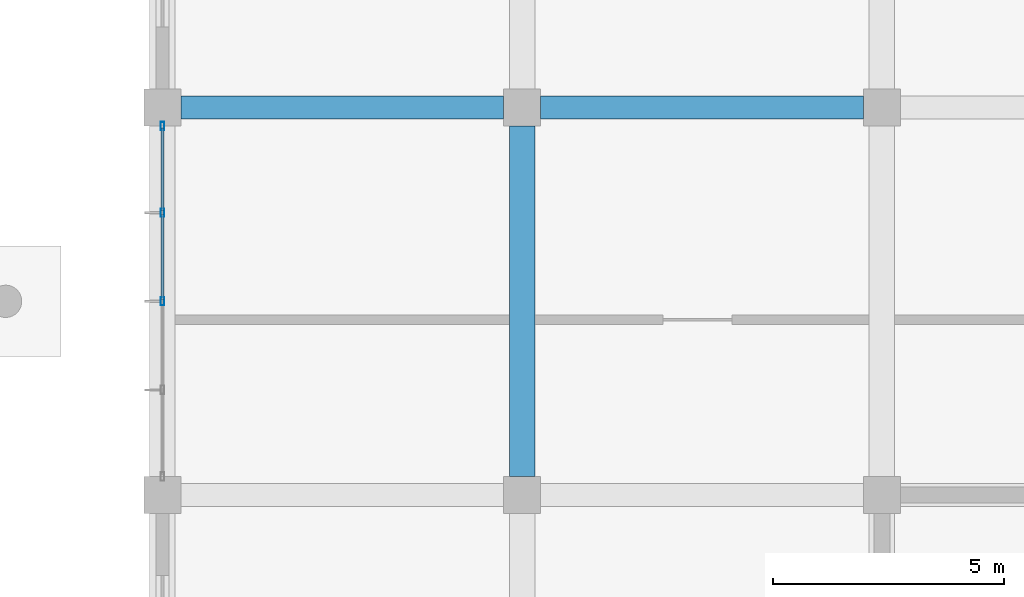
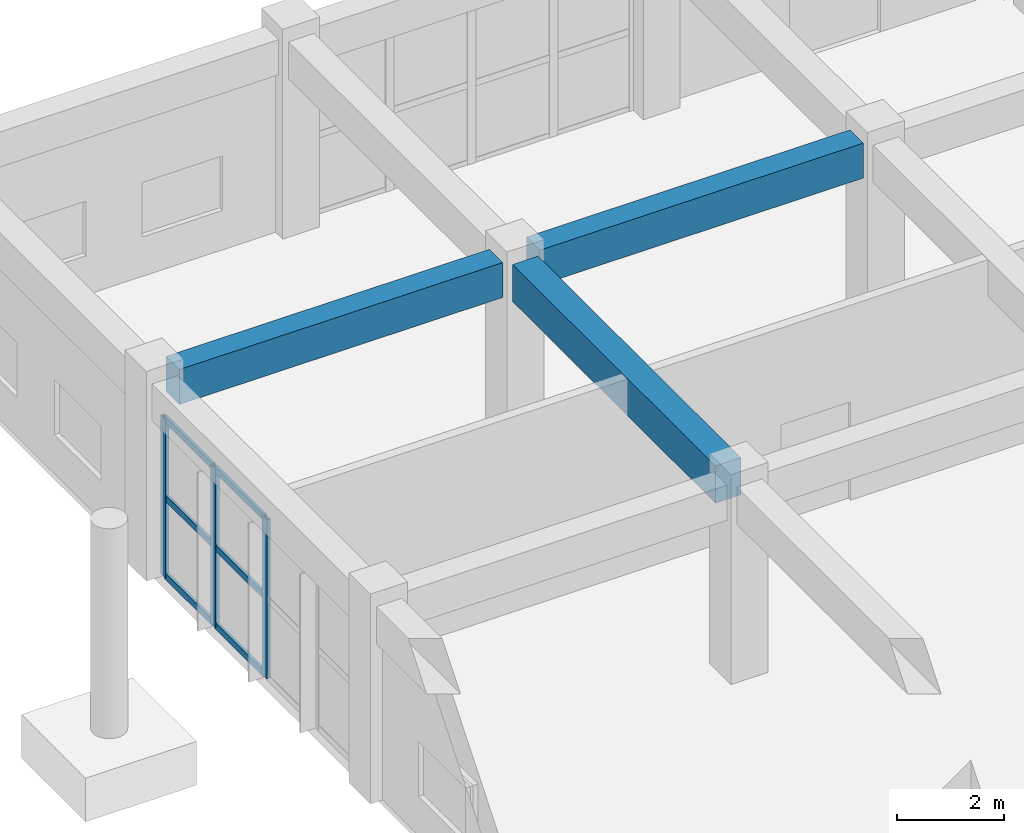
# One storey, part 39 of 139: 9 members, 3 beams, 1 element without a shape of its own.
"""IFC4 building model written with IfcOpenShell, lengths in metres."""

from ifc_helpers import new_model, si_unit, direction, frame, origin, origin_2d, place, context, subcontext, project, spatial, rectangle, hollow_rectangle, extrude, material, layer, layer_set, material_profile, profile_set, type_object, element, aggregate, save


model = new_model("IFC4")

# Units and contexts
model_context = context("Model", 3, precision=1e-05, world=origin(), true_north=direction((0.0, 1.0)))
body_context = subcontext(model_context, "Body", "Model", "MODEL_VIEW")
ifc_project = project(units=[si_unit("LENGTHUNIT", "METRE"), si_unit("AREAUNIT", "SQUARE_METRE"), si_unit("VOLUMEUNIT", "CUBIC_METRE"), si_unit("PLANEANGLEUNIT", "RADIAN"), si_unit("MASSUNIT", "GRAM", prefix="KILO")], contexts=[model_context])

# Site, building, storey
site_placement = place(None, origin())
site = spatial("IfcSite", under=ifc_project, at=site_placement, CompositionType="ELEMENT")
building_placement = place(site_placement, origin())
building = spatial("IfcBuilding", under=site, at=building_placement, Name="Zizhar Promenade General Hospital", CompositionType="ELEMENT")
storey_placement = place(building_placement, origin())
storey = spatial("IfcBuildingStorey", under=building, at=storey_placement, Name="L00", CompositionType="ELEMENT", Elevation=0.0)

# Beams
ifc_material_1 = material(Name="Concrete C35/45", Category="concrete")
ifc_material_profile_1 = material_profile(ifc_material_1, rectangle(XDim=0.5, YDim=0.800048828125, at=origin_2d()))
ifc_profile_set_1 = profile_set([ifc_material_profile_1], Name="Concrete C35/45")
beam_type_1 = type_object("IfcBeamType", Name="BM-RC-500x800", PredefinedType="BEAM", material=ifc_profile_set_1)
for number, where, z_axis, x_axis, name in (
    (1, (47.199951171875, 126.0, 4.070068359375), (1.0, 0.0, 0.0), (0.0, 1.0, 0.0), "Grid Beam X L00 (6-15)"),
    (2, (55.0, 126.0, 4.070068359375), (1.0, 0.0, 0.0), (0.0, 1.0, 0.0), "Grid Beam X L00 (7-15)"),
):
    element("IfcBeam", number, at=place(storey_placement, frame(where, z_axis=z_axis, x_axis=x_axis)), inside=storey, type_object=beam_type_1, Name=name, PredefinedType="BEAM", context=body_context, shape_type="SweptSolid", body=[
        extrude(rectangle(XDim=0.5, YDim=0.800048828125, at=origin_2d()), origin(), (0.0, 0.0, 1.0), 7.0),
    ])
ifc_material_2 = material(Name="Concrete C35/45", Category="concrete")
ifc_material_profile_2 = material_profile(ifc_material_2, rectangle(XDim=0.550048828125, YDim=0.85009765625, at=origin_2d()))
ifc_profile_set_2 = profile_set([ifc_material_profile_2], Name="Concrete C35/45")
beam_type_2 = type_object("IfcBeamType", Name="BM-RC-550x850", PredefinedType="BEAM", material=ifc_profile_set_2)
beam_placement = place(storey_placement, frame((54.60009765625, 118.0, 4.044921875), z_axis=(0.0, 1.0, 0.0), x_axis=(-1.0, 0.0, 0.0)))
element("IfcBeam", 3, at=beam_placement, inside=storey, type_object=beam_type_2, Name="Grid Beam Y L00 (7-14)", PredefinedType="BEAM", context=body_context, shape_type="SweptSolid", body=[
    extrude(rectangle(XDim=0.550048828125, YDim=0.85009765625, at=origin_2d()), origin(), (0.0, 0.0, 1.0), 7.60009765625),
])

# Curtain wall, members
ifc_material_3 = material(Name="Anodised aluminium 6063-T6 and low-E glass", Category="aluminium")
ifc_layer = layer(ifc_material_3, 0.159912109375)
ifc_layer_set = layer_set([ifc_layer], Name="Anodised aluminium 6063-T6 and low-E glass")
curtain_wall_type = type_object("IfcCurtainWallType", Name="CW-DT-MOD1", PredefinedType="NOTDEFINED", material=ifc_layer_set)
curtain_wall_placement = place(storey_placement, origin())
curtain_wall = element("IfcCurtainWall", 4, at=curtain_wall_placement, inside=storey, type_object=curtain_wall_type, Name="Surgical West Glazed Curtain Wall L00-14", PredefinedType="NOTDEFINED")
ifc_material_4 = material(Name="Anodised aluminium 6063-T6", Category="aluminium")
ifc_material_profile_3 = material_profile(ifc_material_4, hollow_rectangle(XDim=0.080078125, YDim=0.179931640625, WallThickness=0.0048828125, at=origin_2d()))
ifc_profile_set_3 = profile_set([ifc_material_profile_3], Name="Anodised aluminium 6063-T6")
member_type_1 = type_object("IfcMemberType", Name="CWM-ALU-180x80", PredefinedType="MULLION", material=ifc_profile_set_3)
member_1_placement = place(storey_placement, frame((46.800048828125, 121.800048828125, 0.0), z_axis=(0.0, 0.0, 1.0), x_axis=(-1.0, 0.0, 0.0)))
member_1 = element("IfcMember", 5, at=member_1_placement, type_object=member_type_1, Name="CW-07 mullion 3", PredefinedType="MULLION", context=body_context, shape_type="SweptSolid", body=[
    extrude(hollow_rectangle(XDim=0.080078125, YDim=0.179931640625, WallThickness=0.0048828125, at=origin_2d()), origin(), (0.0, 0.0, 1.0), 3.6298828125),
])
member_2_placement = place(storey_placement, frame((46.800048828125, 123.719970703125, 0.0), z_axis=(0.0, 0.0, 1.0), x_axis=(-1.0, 0.0, 0.0)))
member_2 = element("IfcMember", 6, at=member_2_placement, type_object=member_type_1, Name="CW-07 mullion 4", PredefinedType="MULLION", context=body_context, shape_type="SweptSolid", body=[
    extrude(hollow_rectangle(XDim=0.080078125, YDim=0.179931640625, WallThickness=0.0048828125, at=origin_2d()), origin(), (0.0, 0.0, 1.0), 3.6298828125),
])
member_3_placement = place(storey_placement, frame((46.800048828125, 125.60009765625, 0.0), z_axis=(0.0, 0.0, 1.0), x_axis=(-1.0, 0.0, 0.0)))
member_3 = element("IfcMember", 7, at=member_3_placement, type_object=member_type_1, Name="CW-07 mullion 5", PredefinedType="MULLION", context=body_context, shape_type="SweptSolid", body=[
    extrude(hollow_rectangle(XDim=0.080078125, YDim=0.179931640625, WallThickness=0.0048828125, at=origin_2d()), origin(), (0.0, 0.0, 1.0), 3.6298828125),
])
ifc_material_5 = material(Name="Anodised aluminium 6063-T6", Category="aluminium")
ifc_material_profile_4 = material_profile(ifc_material_5, hollow_rectangle(XDim=0.06005859375, YDim=0.14990234375, WallThickness=0.00390625, at=origin_2d()))
ifc_profile_set_4 = profile_set([ifc_material_profile_4], Name="Anodised aluminium 6063-T6")
member_type_2 = type_object("IfcMemberType", Name="CWT-ALU-150x60", PredefinedType="USERDEFINED", material=ifc_profile_set_4)
member_4_placement = place(storey_placement, frame((46.800048828125, 121.840087890625, 0.030029296875), z_axis=(0.0, 1.0, 0.0), x_axis=(-1.0, 0.0, 0.0)))
member_4 = element("IfcMember", 8, at=member_4_placement, type_object=member_type_2, Name="CW-07 transom 3.1", ObjectType="TRANSOM", PredefinedType="USERDEFINED", context=body_context, shape_type="SweptSolid", body=[
    extrude(hollow_rectangle(XDim=0.06005859375, YDim=0.14990234375, WallThickness=0.00390625, at=origin_2d()), origin(), (0.0, 0.0, 1.0), 1.83984375),
])
member_5_placement = place(storey_placement, frame((46.800048828125, 121.840087890625, 1.81494140625), z_axis=(0.0, 1.0, 0.0), x_axis=(-1.0, 0.0, 0.0)))
member_5 = element("IfcMember", 9, at=member_5_placement, type_object=member_type_2, Name="CW-07 transom 3.2", ObjectType="TRANSOM", PredefinedType="USERDEFINED", context=body_context, shape_type="SweptSolid", body=[
    extrude(hollow_rectangle(XDim=0.06005859375, YDim=0.14990234375, WallThickness=0.00390625, at=origin_2d()), origin(), (0.0, 0.0, 1.0), 1.83984375),
])
member_6_placement = place(storey_placement, frame((46.800048828125, 121.840087890625, 3.60009765625), z_axis=(0.0, 1.0, 0.0), x_axis=(-1.0, 0.0, 0.0)))
member_6 = element("IfcMember", 10, at=member_6_placement, type_object=member_type_2, Name="CW-07 transom 3.3", ObjectType="TRANSOM", PredefinedType="USERDEFINED", context=body_context, shape_type="SweptSolid", body=[
    extrude(hollow_rectangle(XDim=0.06005859375, YDim=0.14990234375, WallThickness=0.00390625, at=origin_2d()), origin(), (0.0, 0.0, 1.0), 1.83984375),
])
member_7_placement = place(storey_placement, frame((46.800048828125, 123.760009765625, 0.030029296875), z_axis=(0.0, 1.0, 0.0), x_axis=(-1.0, 0.0, 0.0)))
member_7 = element("IfcMember", 11, at=member_7_placement, type_object=member_type_2, Name="CW-07 transom 4.1", ObjectType="TRANSOM", PredefinedType="USERDEFINED", context=body_context, shape_type="SweptSolid", body=[
    extrude(hollow_rectangle(XDim=0.06005859375, YDim=0.14990234375, WallThickness=0.00390625, at=origin_2d()), origin(), (0.0, 0.0, 1.0), 1.800048828125),
])
member_8_placement = place(storey_placement, frame((46.800048828125, 123.760009765625, 1.81494140625), z_axis=(0.0, 1.0, 0.0), x_axis=(-1.0, 0.0, 0.0)))
member_8 = element("IfcMember", 12, at=member_8_placement, type_object=member_type_2, Name="CW-07 transom 4.2", ObjectType="TRANSOM", PredefinedType="USERDEFINED", context=body_context, shape_type="SweptSolid", body=[
    extrude(hollow_rectangle(XDim=0.06005859375, YDim=0.14990234375, WallThickness=0.00390625, at=origin_2d()), origin(), (0.0, 0.0, 1.0), 1.800048828125),
])
member_9_placement = place(storey_placement, frame((46.800048828125, 123.760009765625, 3.60009765625), z_axis=(0.0, 1.0, 0.0), x_axis=(-1.0, 0.0, 0.0)))
member_9 = element("IfcMember", 13, at=member_9_placement, type_object=member_type_2, Name="CW-07 transom 4.3", ObjectType="TRANSOM", PredefinedType="USERDEFINED", context=body_context, shape_type="SweptSolid", body=[
    extrude(hollow_rectangle(XDim=0.06005859375, YDim=0.14990234375, WallThickness=0.00390625, at=origin_2d()), origin(), (0.0, 0.0, 1.0), 1.800048828125),
])
aggregate(curtain_wall, [member_1, member_2, member_3, member_4, member_5, member_6, member_7, member_8, member_9])

save(model, "model.ifc")
